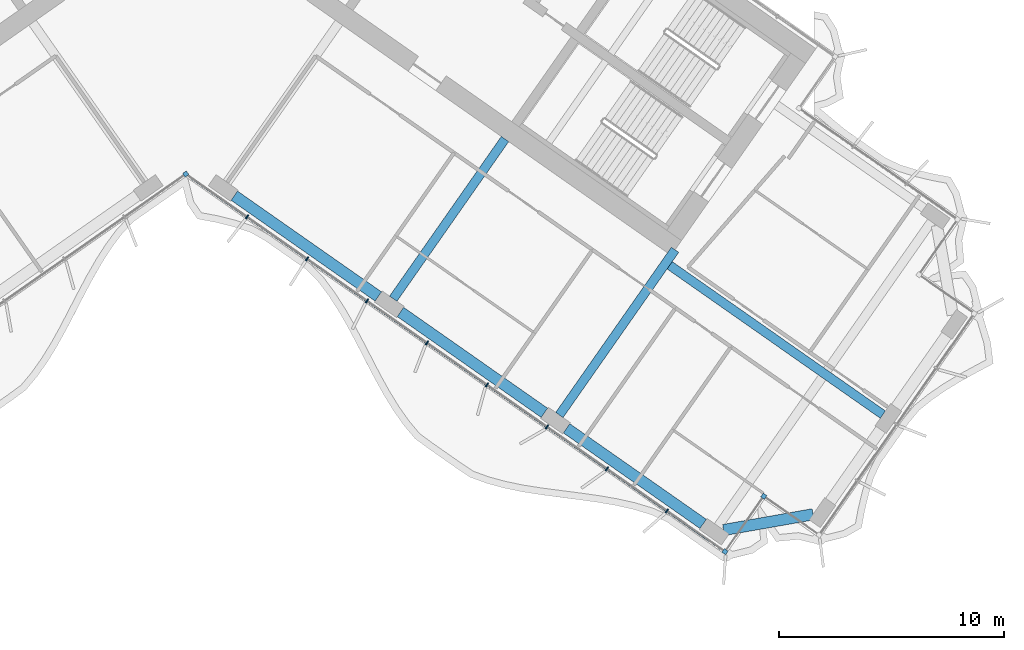
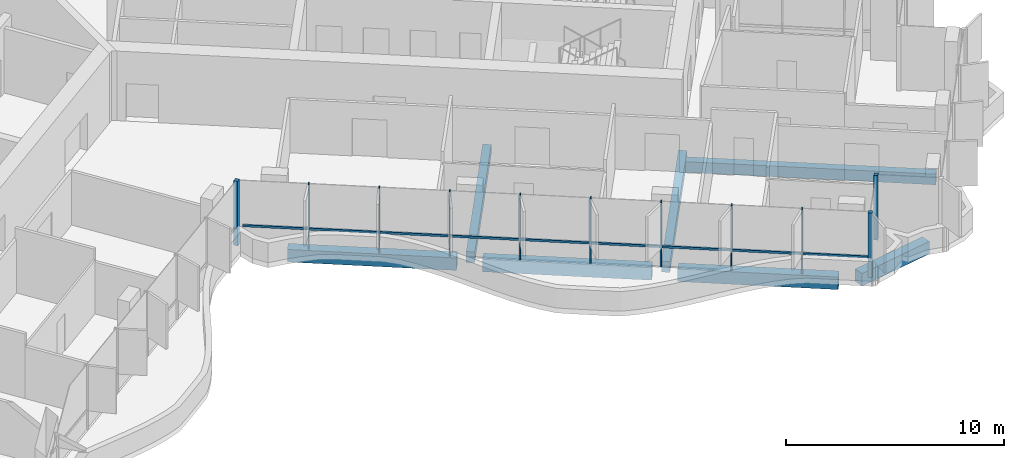
# One storey, part 5 of 22: 12 members, 7 beams, 1 element without a shape of its own.
"""IFC4 building model written with IfcOpenShell, lengths in metres."""

from ifc_helpers import new_model, si_unit, direction, frame, origin, origin_2d, place, context, subcontext, project, spatial, rectangle, extrude, material, material_profile, profile_set, type_object, element, aggregate, save


model = new_model("IFC4")

# Units and contexts
model_context = context("Model", 3, precision=1e-05, world=origin(), true_north=direction((0.0, 1.0)))
body_context = subcontext(model_context, "Body", "Model", "MODEL_VIEW")
ifc_project = project(units=[si_unit("LENGTHUNIT", "METRE"), si_unit("AREAUNIT", "SQUARE_METRE"), si_unit("VOLUMEUNIT", "CUBIC_METRE"), si_unit("PLANEANGLEUNIT", "RADIAN"), si_unit("MASSUNIT", "GRAM", prefix="KILO")], contexts=[model_context])

# Site, building, storey
site_placement = place(None, origin())
site = spatial("IfcSite", under=ifc_project, at=site_placement, CompositionType="ELEMENT")
building_placement = place(site_placement, origin())
building = spatial("IfcBuilding", under=site, at=building_placement, Name="Tel Ilan Convention Tower", CompositionType="ELEMENT")
storey_placement = place(building_placement, frame((0.0, 0.0, 202.199951171875)))
storey = spatial("IfcBuildingStorey", under=building, at=storey_placement, Name="L47", CompositionType="ELEMENT", Elevation=202.199951171875)

# Beams
ifc_material_1 = material(Name="Concrete C40/50", Category="concrete")
ifc_material_profile_1 = material_profile(ifc_material_1, rectangle(XDim=0.39990234375, YDim=0.60009765625, at=origin_2d()), Name="RC 400x600")
ifc_profile_set_1 = profile_set([ifc_material_profile_1], Name="Concrete C40/50")
beam_type_1 = type_object("IfcBeamType", Name="Beam RC 400x600 Concrete C40/50", PredefinedType="BEAM", material=ifc_profile_set_1)
beam_1_placement = place(storey_placement, frame((9.209716796875, -18.229248046875, -0.579833984375), z_axis=(0.573574099654, 0.819153680457, 0.0), x_axis=(-0.819153680457, 0.573574099654, 0.0)))
element("IfcBeam", 1, at=beam_1_placement, inside=storey, type_object=beam_type_1, Name="L47 beam E-E-F2-core", PredefinedType="BEAM", context=body_context, shape_type="SweptSolid", body=[
    extrude(rectangle(XDim=0.39990234375, YDim=0.60009765625, at=origin_2d()), origin(), (0.0, 0.0, 1.0), 8.64990234375),
])
beam_2_placement = place(storey_placement, frame((16.58203125, -23.391357421875, -0.579833984375), z_axis=(0.573584999642, 0.819146048141, 0.0), x_axis=(-0.819146048141, 0.573584999642, 0.0)))
element("IfcBeam", 2, at=beam_2_placement, inside=storey, type_object=beam_type_1, Name="L47 beam E-E-F3-core", PredefinedType="BEAM", context=body_context, shape_type="SweptSolid", body=[
    extrude(rectangle(XDim=0.39990234375, YDim=0.60009765625, at=origin_2d()), origin(), (0.0, 0.0, 1.0), 8.949951171875),
])
beam_3_placement = place(storey_placement, frame((21.477783203125, -16.748046875, -0.579833984375), z_axis=(0.819160415691, -0.573564480564, 0.0), x_axis=(0.573564480564, 0.819160415691, 0.0)))
element("IfcBeam", 3, at=beam_3_placement, inside=storey, type_object=beam_type_1, Name="L47 beam E-core-end", PredefinedType="BEAM", context=body_context, shape_type="SweptSolid", body=[
    extrude(rectangle(XDim=0.39990234375, YDim=0.60009765625, at=origin_2d()), origin(), (0.0, 0.0, 1.0), 11.550048828125),
])
ifc_material_2 = material(Name="Concrete C40/50", Category="concrete")
ifc_material_profile_2 = material_profile(ifc_material_2, rectangle(XDim=0.5, YDim=0.699951171875, at=origin_2d()), Name="RC 500x700")
ifc_profile_set_2 = profile_set([ifc_material_profile_2], Name="Concrete C40/50")
beam_type_2 = type_object("IfcBeamType", Name="Beam RC 500x700 Concrete C40/50", PredefinedType="BEAM", material=ifc_profile_set_2)
for number, where, z_axis, x_axis, name in (
    (4, (2.15673828125, -13.656982421875, -0.6298828125), (0.819153977895, -0.573573674866, 0.0), (0.573573674866, 0.819153977895, 0.0), "L47 beam E-E-F1-E-F2"),
    (5, (9.529052734375, -18.819091796875, -0.6298828125), (0.819153977895, -0.573573674866, 0.0), (0.573573674866, 0.819153977895, 0.0), "L47 beam E-E-F2-E-F3"),
):
    element("IfcBeam", number, at=place(storey_placement, frame(where, z_axis=z_axis, x_axis=x_axis)), inside=storey, type_object=beam_type_2, Name=name, PredefinedType="BEAM", context=body_context, shape_type="SweptSolid", body=[
        extrude(rectangle(XDim=0.5, YDim=0.699951171875, at=origin_2d()), origin(), (0.0, 0.0, 1.0), 7.800048828125),
    ])
beam_4_placement = place(storey_placement, frame((16.901611328125, -23.981201171875, -0.6298828125), z_axis=(0.819148211634, -0.573581909911, 0.0), x_axis=(0.573581909911, 0.819148211634, 0.0)))
element("IfcBeam", 6, at=beam_4_placement, inside=storey, type_object=beam_type_2, Name="L47 beam E-E-F3-E-FC", PredefinedType="BEAM", context=body_context, shape_type="SweptSolid", body=[
    extrude(rectangle(XDim=0.5, YDim=0.699951171875, at=origin_2d()), origin(), (0.0, 0.0, 1.0), 7.39990234375),
])
beam_5_placement = place(storey_placement, frame((23.87255859375, -28.49609375, -0.6298828125), z_axis=(0.984815252405, 0.173605641124, 0.0), x_axis=(-0.173605641124, 0.984815252405, 0.0)))
element("IfcBeam", 7, at=beam_5_placement, inside=storey, type_object=beam_type_2, Name="L47 beam E-E-FC-E-E1", PredefinedType="BEAM", context=body_context, shape_type="SweptSolid", body=[
    extrude(rectangle(XDim=0.5, YDim=0.699951171875, at=origin_2d()), origin(), (0.0, 0.0, 1.0), 4.030517578125),
])

# Curtain wall, members
ifc_material_3 = material(Name="Aluminium, bronze anodised", Category="aluminium")
curtain_wall_type = type_object("IfcCurtainWallType", Name="CW4 STICK CURTAIN WALL, OFFICE TINTED GLASS", PredefinedType="NOTDEFINED", material=ifc_material_3)
curtain_wall_placement = place(storey_placement, origin())
curtain_wall = element("IfcCurtainWall", 8, at=curtain_wall_placement, inside=storey, type_object=curtain_wall_type, Name="Curtain wall CW4-37.04", PredefinedType="NOTDEFINED")
ifc_material_4 = material(Name="Aluminium, bronze anodised", Category="aluminium")
ifc_material_profile_3 = material_profile(ifc_material_4, rectangle(XDim=0.199951171875, YDim=0.199951171875, at=origin_2d()), Name="CW CORNER MULLION 200x200")
ifc_profile_set_3 = profile_set([ifc_material_profile_3], Name="Aluminium, bronze anodised")
member_type_1 = type_object("IfcMemberType", Name="CW CORNER MULLION 200x200", PredefinedType="MULLION", material=ifc_profile_set_3)
member_1_placement = place(storey_placement, frame((0.0, -12.696044921875, 0.0), z_axis=(0.0, 0.0, 1.0), x_axis=(0.819152044289, 0.573576436351, 0.0)))
member_1 = element("IfcMember", 9, at=member_1_placement, type_object=member_type_1, Name="Corner mullion", PredefinedType="MULLION", context=body_context, shape_type="SweptSolid", body=[
    extrude(rectangle(XDim=0.199951171875, YDim=0.199951171875, at=origin_2d()), origin(), (0.0, 0.0, 1.0), 3.6201171875),
])
member_2_placement = place(storey_placement, frame((23.933837890625, -29.454833984375, 0.0), z_axis=(0.0, 0.0, 1.0), x_axis=(0.819152044289, -0.573576436351, 0.0)))
member_2 = element("IfcMember", 10, at=member_2_placement, type_object=member_type_1, Name="Corner mullion", PredefinedType="MULLION", context=body_context, shape_type="SweptSolid", body=[
    extrude(rectangle(XDim=0.199951171875, YDim=0.199951171875, at=origin_2d()), origin(), (0.0, 0.0, 1.0), 3.6201171875),
])
member_3_placement = place(storey_placement, frame((25.654541015625, -26.997314453125, 0.0), z_axis=(0.0, 0.0, 1.0), x_axis=(0.573576436351, 0.819152044289, 0.0)))
member_3 = element("IfcMember", 11, at=member_3_placement, type_object=member_type_1, Name="Corner mullion", PredefinedType="MULLION", context=body_context, shape_type="SweptSolid", body=[
    extrude(rectangle(XDim=0.199951171875, YDim=0.199951171875, at=origin_2d()), origin(), (0.0, 0.0, 1.0), 3.6201171875),
])
ifc_material_5 = material(Name="Aluminium, bronze anodised", Category="aluminium")
ifc_material_profile_4 = material_profile(ifc_material_5, rectangle(XDim=0.06005859375, YDim=0.199951171875, at=origin_2d()), Name="CW MULLION 60x200")
ifc_profile_set_4 = profile_set([ifc_material_profile_4], Name="Aluminium, bronze anodised")
member_type_2 = type_object("IfcMemberType", Name="CW MULLION 60x200", PredefinedType="MULLION", material=ifc_profile_set_4)
member_4_placement = place(storey_placement, frame((2.719482421875, -14.60009765625, 0.0), z_axis=(0.0, 0.0, 1.0), x_axis=(0.819152044289, -0.573576436351, 0.0)))
member_4 = element("IfcMember", 12, at=member_4_placement, type_object=member_type_2, Name="Mullion", PredefinedType="MULLION", context=body_context, shape_type="SweptSolid", body=[
    extrude(rectangle(XDim=0.06005859375, YDim=0.199951171875, at=origin_2d()), origin(), (0.0, 0.0, 1.0), 3.6201171875),
])
member_5_placement = place(storey_placement, frame((5.38134765625, -16.464111328125, 0.0), z_axis=(0.0, 0.0, 1.0), x_axis=(0.819152044289, -0.573576436351, 0.0)))
member_5 = element("IfcMember", 13, at=member_5_placement, type_object=member_type_2, Name="Mullion", PredefinedType="MULLION", context=body_context, shape_type="SweptSolid", body=[
    extrude(rectangle(XDim=0.06005859375, YDim=0.199951171875, at=origin_2d()), origin(), (0.0, 0.0, 1.0), 3.6201171875),
])
member_6_placement = place(storey_placement, frame((8.04345703125, -18.328125, 0.0), z_axis=(0.0, 0.0, 1.0), x_axis=(0.819152044289, -0.573576436351, 0.0)))
member_6 = element("IfcMember", 14, at=member_6_placement, type_object=member_type_2, Name="Mullion", PredefinedType="MULLION", context=body_context, shape_type="SweptSolid", body=[
    extrude(rectangle(XDim=0.06005859375, YDim=0.199951171875, at=origin_2d()), origin(), (0.0, 0.0, 1.0), 3.6201171875),
])
member_7_placement = place(storey_placement, frame((10.70556640625, -20.192138671875, 0.0), z_axis=(0.0, 0.0, 1.0), x_axis=(0.819152044289, -0.573576436351, 0.0)))
member_7 = element("IfcMember", 15, at=member_7_placement, type_object=member_type_2, Name="Mullion", PredefinedType="MULLION", context=body_context, shape_type="SweptSolid", body=[
    extrude(rectangle(XDim=0.06005859375, YDim=0.199951171875, at=origin_2d()), origin(), (0.0, 0.0, 1.0), 3.6201171875),
])
member_8_placement = place(storey_placement, frame((13.36767578125, -22.05615234375, 0.0), z_axis=(0.0, 0.0, 1.0), x_axis=(0.819152044289, -0.573576436351, 0.0)))
member_8 = element("IfcMember", 16, at=member_8_placement, type_object=member_type_2, Name="Mullion", PredefinedType="MULLION", context=body_context, shape_type="SweptSolid", body=[
    extrude(rectangle(XDim=0.06005859375, YDim=0.199951171875, at=origin_2d()), origin(), (0.0, 0.0, 1.0), 3.6201171875),
])
member_9_placement = place(storey_placement, frame((16.029541015625, -23.920166015625, 0.0), z_axis=(0.0, 0.0, 1.0), x_axis=(0.819152044289, -0.573576436351, 0.0)))
member_9 = element("IfcMember", 17, at=member_9_placement, type_object=member_type_2, Name="Mullion", PredefinedType="MULLION", context=body_context, shape_type="SweptSolid", body=[
    extrude(rectangle(XDim=0.06005859375, YDim=0.199951171875, at=origin_2d()), origin(), (0.0, 0.0, 1.0), 3.6201171875),
])
member_10_placement = place(storey_placement, frame((18.691650390625, -25.7841796875, 0.0), z_axis=(0.0, 0.0, 1.0), x_axis=(0.819152044289, -0.573576436351, 0.0)))
member_10 = element("IfcMember", 18, at=member_10_placement, type_object=member_type_2, Name="Mullion", PredefinedType="MULLION", context=body_context, shape_type="SweptSolid", body=[
    extrude(rectangle(XDim=0.06005859375, YDim=0.199951171875, at=origin_2d()), origin(), (0.0, 0.0, 1.0), 3.6201171875),
])
member_11_placement = place(storey_placement, frame((21.353759765625, -27.648193359375, 0.0), z_axis=(0.0, 0.0, 1.0), x_axis=(0.819152044289, -0.573576436351, 0.0)))
member_11 = element("IfcMember", 19, at=member_11_placement, type_object=member_type_2, Name="Mullion", PredefinedType="MULLION", context=body_context, shape_type="SweptSolid", body=[
    extrude(rectangle(XDim=0.06005859375, YDim=0.199951171875, at=origin_2d()), origin(), (0.0, 0.0, 1.0), 3.6201171875),
])
ifc_material_6 = material(Name="Aluminium, bronze anodised", Category="aluminium")
ifc_material_profile_5 = material_profile(ifc_material_6, rectangle(XDim=0.10009765625, YDim=0.1201171875, at=origin_2d()), Name="CW TRANSOM 100x120")
ifc_profile_set_5 = profile_set([ifc_material_profile_5], Name="Aluminium, bronze anodised")
member_type_3 = type_object("IfcMemberType", Name="CW TRANSOM 100x120", PredefinedType="USERDEFINED", material=ifc_profile_set_5)
member_12_placement = place(storey_placement, frame((0.22119140625, -12.850830078125, 1.10009765625), z_axis=(0.819150008568, -0.573579343651, 0.0), x_axis=(0.573579343651, 0.819150008568, 0.0)))
member_12 = element("IfcMember", 20, at=member_12_placement, type_object=member_type_3, Name="Transom", ObjectType="TRANSOM", PredefinedType="USERDEFINED", context=body_context, shape_type="SweptSolid", body=[
    extrude(rectangle(XDim=0.10009765625, YDim=0.1201171875, at=origin_2d()), origin(), (0.0, 0.0, 1.0), 28.84814453125),
])
aggregate(curtain_wall, [member_1, member_4, member_5, member_6, member_7, member_8, member_9, member_10, member_11, member_2, member_12, member_3])

save(model, "model.ifc")
